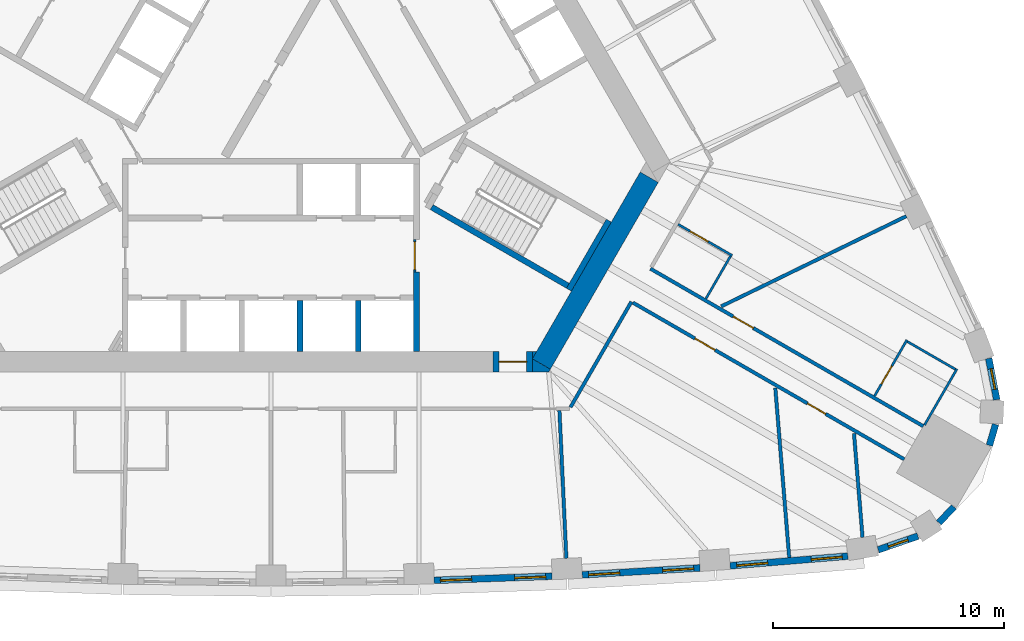
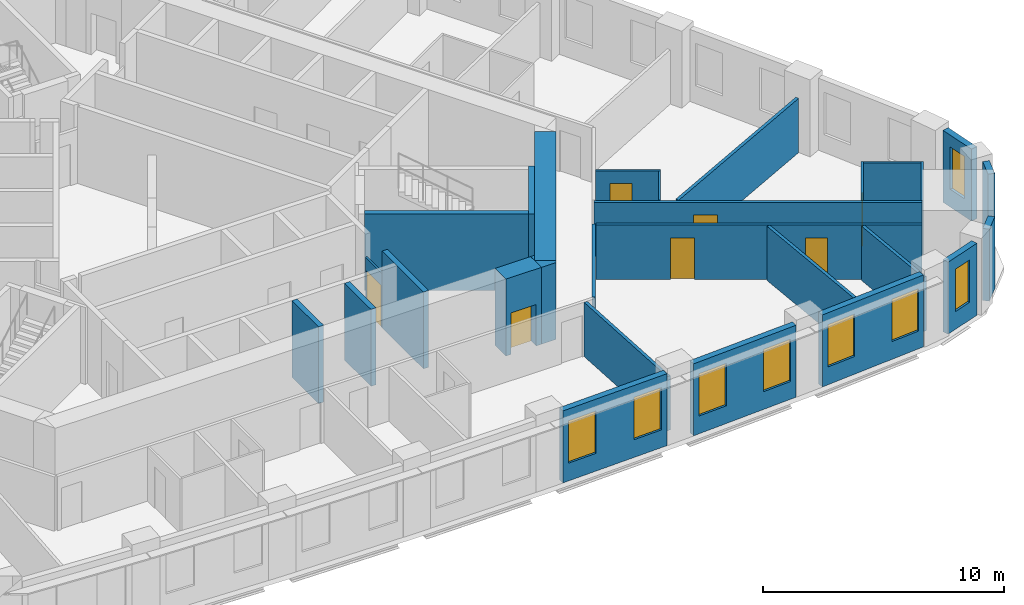
# One storey, part 7 of 12: 29 walls, 8 windows, 7 doors, 15 openings.
"""IFC4 building model written with IfcOpenShell, lengths in metres."""

from ifc_helpers import new_model, si_unit, direction, frame, frame_2d, origin, place, context, subcontext, project, spatial, polyline, rectangle, outline, extrude, material, layer, layer_set, type_object, element, fill, save


model = new_model("IFC4")

# Units and contexts
model_context = context("Model", 3, precision=1e-05, world=origin(), true_north=direction((0.0, 1.0)))
body_context = subcontext(model_context, "Body", "Model", "MODEL_VIEW")
ifc_project = project(units=[si_unit("LENGTHUNIT", "METRE"), si_unit("AREAUNIT", "SQUARE_METRE"), si_unit("VOLUMEUNIT", "CUBIC_METRE"), si_unit("PLANEANGLEUNIT", "RADIAN"), si_unit("MASSUNIT", "GRAM", prefix="KILO")], contexts=[model_context])

# Site, building, storey
site_placement = place(None, origin())
site = spatial("IfcSite", under=ifc_project, at=site_placement, CompositionType="ELEMENT")
building_placement = place(site_placement, origin())
building = spatial("IfcBuilding", under=site, at=building_placement, Name="Mestral Congress Tower", CompositionType="ELEMENT")
storey_placement = place(building_placement, frame((0.0, 0.0, 107.10009765625)))
storey = spatial("IfcBuildingStorey", under=building, at=storey_placement, Name="L25", CompositionType="ELEMENT", Elevation=107.10009765625)

# Wall, opening, door
ifc_material_1 = material(Name="Fire-rated board partition")
ifc_layer_1 = layer(ifc_material_1, 0.090087890625)
ifc_layer_set_1 = layer_set([ifc_layer_1], Name="Fire-rated board partition")
wall_type_1 = type_object("IfcWallType", Name="Core partition 150 door-wall 90", PredefinedType="PARTITIONING", material=ifc_layer_set_1)
wall_1_placement = place(storey_placement, frame((6.219970703125, -7.266357421875, 0.0), z_axis=(0.0, 0.0, 1.0), x_axis=(0.0, -1.0, 0.0)))
wall_1 = element("IfcWall", 1, at=wall_1_placement, inside=storey, type_object=wall_type_1, Name="L25 door wall", PredefinedType="PARTITIONING", context=body_context, shape_type="SweptSolid", body=[
    extrude(rectangle(XDim=1.400146484375, YDim=0.090087890625, at=frame_2d((0.7001953125, 0.0))), origin(), (0.0, 0.0, 1.0), 2.75),
])
opening_1_placement = place(wall_1_placement, frame((0.10009765625, 0.0, 0.0)))
opening_1 = element("IfcOpeningElement", 2, at=opening_1_placement, cuts=wall_1, Name="Opening LB0-WL1", PredefinedType="OPENING", context=body_context, shape_type="SweptSolid", body=[
    extrude(rectangle(XDim=1.199951171875, YDim=2.10009765625, at=frame_2d((0.60009765625, 1.050048828125))), frame((0.0, 0.054931640625, 0.0), z_axis=(0.0, -1.0, 0.0), x_axis=(1.0, 0.0, 0.0)), (0.0, 0.0, 1.0), 0.110107421875),
])
ifc_material_2 = material(Name="Fire-rated steel door set", Category="steel")
door_type_1 = type_object("IfcDoorType", Name="Core door LB 1200x2100", OperationType="SINGLE_SWING_LEFT", PredefinedType="DOOR", material=ifc_material_2)
door_1_placement = place(opening_1_placement, origin())
door_1 = element("IfcDoor", 3, at=door_1_placement, inside=storey, type_object=door_type_1, Name="Door LB0-WL1", OperationType="SINGLE_SWING_LEFT", OverallHeight=2.10009765625, OverallWidth=1.199951171875, PredefinedType="DOOR", context=body_context, shape_type="SweptSolid", body=[
    extrude(rectangle(XDim=1.199951171875, YDim=2.10009765625, at=frame_2d((0.60009765625, 1.050048828125))), frame((0.0, 0.02490234375, 0.0), z_axis=(0.0, -1.0, 0.0), x_axis=(1.0, 0.0, 0.0)), (0.0, 0.0, 1.0), 0.050048828125),
])
fill(opening_1, door_1)

# Walls
ifc_material_3 = material(Name="Concrete C60/75", Category="concrete")
ifc_layer_2 = layer(ifc_material_3, 0.89990234375)
ifc_layer_set_2 = layer_set([ifc_layer_2], Name="Concrete C60/75")
wall_type_2 = type_object("IfcWallType", Name="Core wall RC 900", PredefinedType="SOLIDWALL", material=ifc_layer_set_2)
wall_2_placement = place(storey_placement, frame((11.69482421875, -12.643798828125, 0.0), z_axis=(0.0, 0.0, 1.0), x_axis=(0.500010229568, 0.86601949766, 0.0)))
element("IfcWall", 4, at=wall_2_placement, inside=storey, type_object=wall_type_2, Name="L25 core wall", PredefinedType="SOLIDWALL", context=body_context, shape_type="SweptSolid", body=[
    extrude(rectangle(XDim=9.326416015625, YDim=0.89990234375, at=frame_2d((4.6630859375, 0.0))), origin(), (0.0, 0.0, 1.0), 3.89990234375),
])
placement = place(storey_placement, origin())
element("IfcWall", 5, at=placement, inside=storey, type_object=wall_type_2, Name="L25 core wall", PredefinedType="SOLIDWALL", context=body_context, shape_type="SweptSolid", body=[
    extrude(outline(polyline([(12.0087890625, -13.0), (11.31201171875, -13.0), (11.31201171875, -12.425048828125), (12.08349609375, -12.87060546875), (12.0087890625, -13.0)])), origin(), (0.0, 0.0, 1.0), 3.89990234375),
])
element("IfcWall", 6, at=placement, inside=storey, type_object=wall_type_2, Name="L25 core wall", PredefinedType="SOLIDWALL", context=body_context, shape_type="SweptSolid", body=[
    extrude(outline(polyline([(11.4892578125, -12.10009765625), (11.31201171875, -12.4072265625), (11.31201171875, -12.10009765625), (11.4892578125, -12.10009765625)])), origin(), (0.0, 0.0, 1.0), 3.89990234375),
])

# Wall, opening, door
wall_5_placement = place(storey_placement, frame((11.311767578125, -12.550048828125, 0.0), z_axis=(0.0, 0.0, 1.0), x_axis=(-1.0, 0.0, 0.0)))
wall_5 = element("IfcWall", 7, at=wall_5_placement, inside=storey, type_object=wall_type_2, Name="L25 door wall", PredefinedType="SOLIDWALL", context=body_context, shape_type="SweptSolid", body=[
    extrude(rectangle(XDim=1.699951171875, YDim=0.89990234375, at=frame_2d((0.85009765625, 0.0))), origin(), (0.0, 0.0, 1.0), 3.89990234375),
])
opening_2_placement = place(wall_5_placement, frame((0.25, 0.0, 0.0)))
opening_2 = element("IfcOpeningElement", 8, at=opening_2_placement, cuts=wall_5, Name="Opening XD1", PredefinedType="OPENING", context=body_context, shape_type="SweptSolid", body=[
    extrude(rectangle(XDim=1.199951171875, YDim=2.10009765625, at=frame_2d((0.60009765625, 1.050048828125))), frame((0.0, 0.4599609375, 0.0), z_axis=(0.0, -1.0, 0.0), x_axis=(1.0, 0.0, 0.0)), (0.0, 0.0, 1.0), 0.919921875),
])
door_type_2 = type_object("IfcDoorType", Name="Core door XD 1200x2100", OperationType="SINGLE_SWING_LEFT", PredefinedType="DOOR", material=ifc_material_2)
door_2_placement = place(opening_2_placement, origin())
door_2 = element("IfcDoor", 9, at=door_2_placement, inside=storey, type_object=door_type_2, Name="Door XD1", OperationType="SINGLE_SWING_LEFT", OverallHeight=2.10009765625, OverallWidth=1.199951171875, PredefinedType="DOOR", context=body_context, shape_type="SweptSolid", body=[
    extrude(rectangle(XDim=1.199951171875, YDim=2.10009765625, at=frame_2d((0.60009765625, 1.050048828125))), frame((0.0, 0.02490234375, 0.0), z_axis=(0.0, -1.0, 0.0), x_axis=(1.0, 0.0, 0.0)), (0.0, 0.0, 1.0), 0.050048828125),
])
fill(opening_2, door_2)

# Wall, openings, windows
ifc_material_4 = material(Name="Precast concrete C40/50 with limestone facing", Category="masonry")
ifc_layer_3 = layer(ifc_material_4, 0.2900390625)
ifc_layer_set_3 = layer_set([ifc_layer_3], Name="Precast concrete C40/50 with limestone facing")
wall_type_3 = type_object("IfcWallType", Name="Facade stone wall 290", PredefinedType="SOLIDWALL", material=ifc_layer_set_3)
wall_6_placement = place(storey_placement, frame((7.059326171875, -22.000732421875, 0.0), z_axis=(0.0, 0.0, 1.0), x_axis=(0.999385993957, 0.035037623812, 0.0)))
wall_6 = element("IfcWall", 10, at=wall_6_placement, inside=storey, type_object=wall_type_3, Name="Facade wall F0-05", PredefinedType="SOLIDWALL", context=body_context, shape_type="SweptSolid", body=[
    extrude(rectangle(XDim=5.1005859375, YDim=0.2900390625, at=frame_2d((2.55029296875, 0.0))), origin(), (0.0, 0.0, 1.0), 3.64990234375),
])
opening_3_placement = place(wall_6_placement, frame((0.272705078125, 0.0, 0.89990234375)))
opening_3 = element("IfcOpeningElement", 11, at=opening_3_placement, cuts=wall_6, Name="Opening W2", PredefinedType="OPENING", context=body_context, shape_type="SweptSolid", body=[
    extrude(rectangle(XDim=1.35009765625, YDim=2.14990234375, at=frame_2d((0.675048828125, 1.074951171875))), frame((0.0, 0.155029296875, 0.0), z_axis=(0.0, -1.0, 0.0), x_axis=(1.0, 0.0, 0.0)), (0.0, 0.0, 1.0), 0.31005859375),
])
opening_4_placement = place(wall_6_placement, frame((3.477783203125, 0.0, 0.89990234375)))
opening_4 = element("IfcOpeningElement", 12, at=opening_4_placement, cuts=wall_6, Name="Opening W2", PredefinedType="OPENING", context=body_context, shape_type="SweptSolid", body=[
    extrude(rectangle(XDim=1.35009765625, YDim=2.14990234375, at=frame_2d((0.675048828125, 1.074951171875))), frame((0.0, 0.155029296875, 0.0), z_axis=(0.0, -1.0, 0.0), x_axis=(1.0, 0.0, 0.0)), (0.0, 0.0, 1.0), 0.31005859375),
])
ifc_material_5 = material(Name="Clear low-emissivity double glazing", Category="glass")
window_type_1 = type_object("IfcWindowType", Name="Facade punched window 1350 x 2150 sill 900", PartitioningType="DOUBLE_PANEL_VERTICAL", PredefinedType="WINDOW", material=ifc_material_5)
window_1_placement = place(opening_3_placement, origin())
window_1 = element("IfcWindow", 13, at=window_1_placement, inside=storey, type_object=window_type_1, Name="Window F0-05a", OverallHeight=2.14990234375, OverallWidth=1.35009765625, PartitioningType="DOUBLE_PANEL_VERTICAL", PredefinedType="WINDOW", context=body_context, shape_type="SweptSolid", body=[
    extrude(rectangle(XDim=1.35009765625, YDim=2.14990234375, at=frame_2d((0.675048828125, 1.074951171875))), frame((0.0, 0.01513671875, 0.0), z_axis=(0.0, -1.0, 0.0), x_axis=(1.0, 0.0, 0.0)), (0.0, 0.0, 1.0), 0.06005859375),
])
fill(opening_3, window_1)
window_2_placement = place(opening_4_placement, origin())
window_2 = element("IfcWindow", 14, at=window_2_placement, inside=storey, type_object=window_type_1, Name="Window F0-05b", OverallHeight=2.14990234375, OverallWidth=1.35009765625, PartitioningType="DOUBLE_PANEL_VERTICAL", PredefinedType="WINDOW", context=body_context, shape_type="SweptSolid", body=[
    extrude(rectangle(XDim=1.35009765625, YDim=2.14990234375, at=frame_2d((0.675048828125, 1.074951171875))), frame((0.0, 0.01513671875, 0.0), z_axis=(0.0, -1.0, 0.0), x_axis=(1.0, 0.0, 0.0)), (0.0, 0.0, 1.0), 0.06005859375),
])
fill(opening_4, window_2)

wall_7_placement = place(storey_placement, frame((13.4619140625, -21.760986328125, 0.0), z_axis=(0.0, 0.0, 1.0), x_axis=(0.998290511436, 0.058447025388, 0.0)))
wall_7 = element("IfcWall", 15, at=wall_7_placement, inside=storey, type_object=wall_type_3, Name="Facade wall F0-06", PredefinedType="SOLIDWALL", context=body_context, shape_type="SweptSolid", body=[
    extrude(rectangle(XDim=5.100341796875, YDim=0.2900390625, at=frame_2d((2.55029296875, 0.0))), origin(), (0.0, 0.0, 1.0), 3.64990234375),
])
opening_5_placement = place(wall_7_placement, frame((0.2724609375, 0.0, 0.89990234375)))
opening_5 = element("IfcOpeningElement", 16, at=opening_5_placement, cuts=wall_7, Name="Opening W2", PredefinedType="OPENING", context=body_context, shape_type="SweptSolid", body=[
    extrude(rectangle(XDim=1.35009765625, YDim=2.14990234375, at=frame_2d((0.675048828125, 1.074951171875))), frame((0.0, 0.155029296875, 0.0), z_axis=(0.0, -1.0, 0.0), x_axis=(1.0, 0.0, 0.0)), (0.0, 0.0, 1.0), 0.31005859375),
])
opening_6_placement = place(wall_7_placement, frame((3.477783203125, 0.0, 0.89990234375)))
opening_6 = element("IfcOpeningElement", 17, at=opening_6_placement, cuts=wall_7, Name="Opening W2", PredefinedType="OPENING", context=body_context, shape_type="SweptSolid", body=[
    extrude(rectangle(XDim=1.35009765625, YDim=2.14990234375, at=frame_2d((0.675048828125, 1.074951171875))), frame((0.0, 0.155029296875, 0.0), z_axis=(0.0, -1.0, 0.0), x_axis=(1.0, 0.0, 0.0)), (0.0, 0.0, 1.0), 0.31005859375),
])
window_3_placement = place(opening_5_placement, origin())
window_3 = element("IfcWindow", 18, at=window_3_placement, inside=storey, type_object=window_type_1, Name="Window F0-06a", OverallHeight=2.14990234375, OverallWidth=1.35009765625, PartitioningType="DOUBLE_PANEL_VERTICAL", PredefinedType="WINDOW", context=body_context, shape_type="SweptSolid", body=[
    extrude(rectangle(XDim=1.35009765625, YDim=2.14990234375, at=frame_2d((0.675048828125, 1.074951171875))), frame((0.0, 0.01513671875, 0.0), z_axis=(0.0, -1.0, 0.0), x_axis=(1.0, 0.0, 0.0)), (0.0, 0.0, 1.0), 0.06005859375),
])
fill(opening_5, window_3)
window_4_placement = place(opening_6_placement, origin())
window_4 = element("IfcWindow", 19, at=window_4_placement, inside=storey, type_object=window_type_1, Name="Window F0-06b", OverallHeight=2.14990234375, OverallWidth=1.35009765625, PartitioningType="DOUBLE_PANEL_VERTICAL", PredefinedType="WINDOW", context=body_context, shape_type="SweptSolid", body=[
    extrude(rectangle(XDim=1.35009765625, YDim=2.14990234375, at=frame_2d((0.675048828125, 1.074951171875))), frame((0.0, 0.01513671875, 0.0), z_axis=(0.0, -1.0, 0.0), x_axis=(1.0, 0.0, 0.0)), (0.0, 0.0, 1.0), 0.06005859375),
])
fill(opening_6, window_4)

wall_8_placement = place(storey_placement, frame((19.856689453125, -21.37109375, 0.0), z_axis=(0.0, 0.0, 1.0), x_axis=(0.99665273362, 0.081751627308, 0.0)))
wall_8 = element("IfcWall", 20, at=wall_8_placement, inside=storey, type_object=wall_type_3, Name="Facade wall F0-07", PredefinedType="SOLIDWALL", context=body_context, shape_type="SweptSolid", body=[
    extrude(rectangle(XDim=5.106689453125, YDim=0.2900390625, at=frame_2d((2.55322265625, 0.0))), origin(), (0.0, 0.0, 1.0), 3.64990234375),
])
opening_7_placement = place(wall_8_placement, frame((0.285400390625, 0.0, 0.89990234375)))
opening_7 = element("IfcOpeningElement", 21, at=opening_7_placement, cuts=wall_8, Name="Opening W2", PredefinedType="OPENING", context=body_context, shape_type="SweptSolid", body=[
    extrude(rectangle(XDim=1.35009765625, YDim=2.14990234375, at=frame_2d((0.675048828125, 1.074951171875))), frame((0.0, 0.155029296875, 0.0), z_axis=(0.0, -1.0, 0.0), x_axis=(1.0, 0.0, 0.0)), (0.0, 0.0, 1.0), 0.31005859375),
])
opening_8_placement = place(wall_8_placement, frame((3.51611328125, 0.0, 0.89990234375)))
opening_8 = element("IfcOpeningElement", 22, at=opening_8_placement, cuts=wall_8, Name="Opening W2", PredefinedType="OPENING", context=body_context, shape_type="SweptSolid", body=[
    extrude(rectangle(XDim=1.35009765625, YDim=2.14990234375, at=frame_2d((0.675048828125, 1.074951171875))), frame((0.0, 0.155029296875, 0.0), z_axis=(0.0, -1.0, 0.0), x_axis=(1.0, 0.0, 0.0)), (0.0, 0.0, 1.0), 0.31005859375),
])
window_5_placement = place(opening_7_placement, origin())
window_5 = element("IfcWindow", 23, at=window_5_placement, inside=storey, type_object=window_type_1, Name="Window F0-07a", OverallHeight=2.14990234375, OverallWidth=1.35009765625, PartitioningType="DOUBLE_PANEL_VERTICAL", PredefinedType="WINDOW", context=body_context, shape_type="SweptSolid", body=[
    extrude(rectangle(XDim=1.35009765625, YDim=2.14990234375, at=frame_2d((0.675048828125, 1.074951171875))), frame((0.0, 0.01513671875, 0.0), z_axis=(0.0, -1.0, 0.0), x_axis=(1.0, 0.0, 0.0)), (0.0, 0.0, 1.0), 0.06005859375),
])
fill(opening_7, window_5)
window_6_placement = place(opening_8_placement, origin())
window_6 = element("IfcWindow", 24, at=window_6_placement, inside=storey, type_object=window_type_1, Name="Window F0-07b", OverallHeight=2.14990234375, OverallWidth=1.35009765625, PartitioningType="DOUBLE_PANEL_VERTICAL", PredefinedType="WINDOW", context=body_context, shape_type="SweptSolid", body=[
    extrude(rectangle(XDim=1.35009765625, YDim=2.14990234375, at=frame_2d((0.675048828125, 1.074951171875))), frame((0.0, 0.01513671875, 0.0), z_axis=(0.0, -1.0, 0.0), x_axis=(1.0, 0.0, 0.0)), (0.0, 0.0, 1.0), 0.06005859375),
])
fill(opening_8, window_6)

# Wall, opening, window
wall_9_placement = place(storey_placement, frame((26.260986328125, -20.67919921875, 0.0), z_axis=(0.0, 0.0, 1.0), x_axis=(0.945385815453, 0.325953462844, 0.0)))
wall_9 = element("IfcWall", 25, at=wall_9_placement, inside=storey, type_object=wall_type_3, Name="Facade wall K0-0", PredefinedType="SOLIDWALL", context=body_context, shape_type="SweptSolid", body=[
    extrude(rectangle(XDim=1.8193359375, YDim=0.2900390625, at=frame_2d((0.90966796875, 0.0))), origin(), (0.0, 0.0, 1.0), 3.64990234375),
])
opening_9_placement = place(wall_9_placement, frame((0.459716796875, 0.0, 0.89990234375)))
opening_9 = element("IfcOpeningElement", 26, at=opening_9_placement, cuts=wall_9, Name="Opening W3", PredefinedType="OPENING", context=body_context, shape_type="SweptSolid", body=[
    extrude(rectangle(XDim=0.89990234375, YDim=2.14990234375, at=frame_2d((0.449951171875, 1.074951171875))), frame((0.0, 0.155029296875, 0.0), z_axis=(0.0, -1.0, 0.0), x_axis=(1.0, 0.0, 0.0)), (0.0, 0.0, 1.0), 0.31005859375),
])
window_type_2 = type_object("IfcWindowType", Name="Facade punched window 900 x 2150 sill 900", PartitioningType="SINGLE_PANEL", PredefinedType="WINDOW", material=ifc_material_5)
window_7_placement = place(opening_9_placement, origin())
window_7 = element("IfcWindow", 27, at=window_7_placement, inside=storey, type_object=window_type_2, Name="Window K0-0", OverallHeight=2.14990234375, OverallWidth=0.89990234375, PartitioningType="SINGLE_PANEL", PredefinedType="WINDOW", context=body_context, shape_type="SweptSolid", body=[
    extrude(rectangle(XDim=0.89990234375, YDim=2.14990234375, at=frame_2d((0.449951171875, 1.074951171875))), frame((0.0, 0.01513671875, 0.0), z_axis=(0.0, -1.0, 0.0), x_axis=(1.0, 0.0, 0.0)), (0.0, 0.0, 1.0), 0.06005859375),
])
fill(opening_9, window_7)

# Walls
wall_10_placement = place(storey_placement, frame((28.88037109375, -19.50927734375, 0.0), z_axis=(0.0, 0.0, 1.0), x_axis=(0.690414427296, 0.723414071319, 0.0)))
element("IfcWall", 28, at=wall_10_placement, inside=storey, type_object=wall_type_3, Name="Facade wall K0-1", PredefinedType="SOLIDWALL", context=body_context, shape_type="SweptSolid", body=[
    extrude(rectangle(XDim=0.947021484375, YDim=0.2900390625, at=frame_2d((0.4736328125, 0.0))), origin(), (0.0, 0.0, 1.0), 3.64990234375),
])
wall_11_placement = place(storey_placement, frame((31.069091796875, -16.165283203125, 0.0), z_axis=(0.0, 0.0, 1.0), x_axis=(0.281454582132, 0.95957455062, 0.0)))
element("IfcWall", 29, at=wall_11_placement, inside=storey, type_object=wall_type_3, Name="Facade wall K0-2", PredefinedType="SOLIDWALL", context=body_context, shape_type="SweptSolid", body=[
    extrude(rectangle(XDim=0.947265625, YDim=0.2900390625, at=frame_2d((0.4736328125, 0.0))), origin(), (0.0, 0.0, 1.0), 3.64990234375),
])

# Wall, opening, window
wall_12_placement = place(storey_placement, frame((31.385498046875, -14.189208984375, 0.0), z_axis=(0.0, 0.0, 1.0), x_axis=(-0.190409913989, 0.981704672829, 0.0)))
wall_12 = element("IfcWall", 30, at=wall_12_placement, inside=storey, type_object=wall_type_3, Name="Facade wall K0-3", PredefinedType="SOLIDWALL", context=body_context, shape_type="SweptSolid", body=[
    extrude(rectangle(XDim=1.8193359375, YDim=0.2900390625, at=frame_2d((0.90966796875, 0.0))), origin(), (0.0, 0.0, 1.0), 3.64990234375),
])
opening_10_placement = place(wall_12_placement, frame((0.459716796875, 0.0, 0.89990234375)))
opening_10 = element("IfcOpeningElement", 31, at=opening_10_placement, cuts=wall_12, Name="Opening W3", PredefinedType="OPENING", context=body_context, shape_type="SweptSolid", body=[
    extrude(rectangle(XDim=0.89990234375, YDim=2.14990234375, at=frame_2d((0.449951171875, 1.074951171875))), frame((0.0, 0.155029296875, 0.0), z_axis=(0.0, -1.0, 0.0), x_axis=(1.0, 0.0, 0.0)), (0.0, 0.0, 1.0), 0.31005859375),
])
window_8_placement = place(opening_10_placement, origin())
window_8 = element("IfcWindow", 32, at=window_8_placement, inside=storey, type_object=window_type_2, Name="Window K0-3", OverallHeight=2.14990234375, OverallWidth=0.89990234375, PartitioningType="SINGLE_PANEL", PredefinedType="WINDOW", context=body_context, shape_type="SweptSolid", body=[
    extrude(rectangle(XDim=0.89990234375, YDim=2.14990234375, at=frame_2d((0.449951171875, 1.074951171875))), frame((0.0, 0.01513671875, 0.0), z_axis=(0.0, -1.0, 0.0), x_axis=(1.0, 0.0, 0.0)), (0.0, 0.0, 1.0), 0.06005859375),
])
fill(opening_10, window_8)

# Wall, opening, door
ifc_material_6 = material(Name="Gypsum board partition on metal studs with mineral wool", Category="composite")
ifc_layer_4 = layer(ifc_material_6, 0.10009765625)
ifc_layer_set_4 = layer_set([ifc_layer_4], Name="Gypsum board partition on metal studs with mineral wool")
wall_type_4 = type_object("IfcWallType", Name="Hotel partition wall 100", PredefinedType="PARTITIONING", material=ifc_layer_set_4)
wall_13_placement = place(storey_placement, frame((27.50048828125, -11.60498046875, 0.0), z_axis=(0.0, 0.0, 1.0), x_axis=(-0.500049511043, -0.865996816683, 0.0)))
wall_13 = element("IfcWall", 33, at=wall_13_placement, inside=storey, type_object=wall_type_4, Name="L25-h-pod08a", PredefinedType="PARTITIONING", context=body_context, shape_type="SweptSolid", body=[
    extrude(rectangle(XDim=2.800048828125, YDim=0.10009765625, at=frame_2d((1.39990234375, 0.0))), origin(), (0.0, 0.0, 1.0), 2.75),
])
opening_11_placement = place(wall_13_placement, frame((1.300048828125, 0.0, 0.0)))
opening_11 = element("IfcOpeningElement", 34, at=opening_11_placement, cuts=wall_13, Name="Opening H08-013", PredefinedType="OPENING", context=body_context, shape_type="SweptSolid", body=[
    extrude(rectangle(XDim=0.89990234375, YDim=2.10009765625, at=frame_2d((0.449951171875, 1.050048828125))), frame((0.0, 0.06005859375, 0.0), z_axis=(0.0, -1.0, 0.0), x_axis=(1.0, 0.0, 0.0)), (0.0, 0.0, 1.0), 0.1201171875),
])
ifc_material_7 = material(Name="Timber veneer door leaf in timber frame", Category="wood")
door_type_3 = type_object("IfcDoorType", Name="Bathroom door 900", OperationType="SINGLE_SWING_LEFT", PredefinedType="DOOR", material=ifc_material_7)
door_3_placement = place(opening_11_placement, origin())
door_3 = element("IfcDoor", 35, at=door_3_placement, inside=storey, type_object=door_type_3, Name="L25-h-d013", OperationType="SINGLE_SWING_LEFT", OverallHeight=2.10009765625, OverallWidth=0.89990234375, PredefinedType="DOOR", context=body_context, shape_type="SweptSolid", body=[
    extrude(rectangle(XDim=0.89990234375, YDim=2.10009765625, at=frame_2d((0.449951171875, 1.050048828125))), frame((0.0, 0.02490234375, 0.0), z_axis=(0.0, -1.0, 0.0), x_axis=(1.0, 0.0, 0.0)), (0.0, 0.0, 1.0), 0.050048828125),
])
fill(opening_11, door_3)

# Walls
wall_14_placement = place(storey_placement, frame((27.518798828125, -11.67333984375, 0.0), z_axis=(0.0, 0.0, 1.0), x_axis=(0.866024647952, -0.500001309137, 0.0)))
element("IfcWall", 36, at=wall_14_placement, inside=storey, type_object=wall_type_4, Name="L25-h-pod08b", PredefinedType="PARTITIONING", context=body_context, shape_type="SweptSolid", body=[
    extrude(rectangle(XDim=2.39990234375, YDim=0.10009765625, at=frame_2d((1.199951171875, 0.0))), origin(), (0.0, 0.0, 1.0), 2.75),
])
wall_15_placement = place(storey_placement, frame((28.265380859375, -15.27978515625, 0.0), z_axis=(0.0, 0.0, 1.0), x_axis=(0.500049511043, 0.865996816683, 0.0)))
element("IfcWall", 37, at=wall_15_placement, inside=storey, type_object=wall_type_4, Name="L25-h-pod08c", PredefinedType="PARTITIONING", context=body_context, shape_type="SweptSolid", body=[
    extrude(rectangle(XDim=2.800048828125, YDim=0.10009765625, at=frame_2d((1.39990234375, 0.0))), origin(), (0.0, 0.0, 1.0), 2.75),
])

# Wall, opening, door
wall_16_placement = place(storey_placement, frame((19.945556640625, -7.953369140625, 0.0), z_axis=(0.0, 0.0, 1.0), x_axis=(-0.86599734893, 0.500048589285, 0.0)))
wall_16 = element("IfcWall", 38, at=wall_16_placement, inside=storey, type_object=wall_type_4, Name="L25-h-pod09a", PredefinedType="PARTITIONING", context=body_context, shape_type="SweptSolid", body=[
    extrude(rectangle(XDim=2.699951171875, YDim=0.10009765625, at=frame_2d((1.35009765625, 0.0))), origin(), (0.0, 0.0, 1.0), 2.75),
])
opening_12_placement = place(wall_16_placement, frame((1.199951171875, 0.0, 0.0)))
opening_12 = element("IfcOpeningElement", 39, at=opening_12_placement, cuts=wall_16, Name="Opening H08-015", PredefinedType="OPENING", context=body_context, shape_type="SweptSolid", body=[
    extrude(rectangle(XDim=0.89990234375, YDim=2.10009765625, at=frame_2d((0.449951171875, 1.050048828125))), frame((0.0, 0.06005859375, 0.0), z_axis=(0.0, -1.0, 0.0), x_axis=(1.0, 0.0, 0.0)), (0.0, 0.0, 1.0), 0.1201171875),
])
door_4_placement = place(opening_12_placement, origin())
door_4 = element("IfcDoor", 40, at=door_4_placement, inside=storey, type_object=door_type_3, Name="L25-h-d015", OperationType="SINGLE_SWING_RIGHT", OverallHeight=2.10009765625, OverallWidth=0.89990234375, PredefinedType="DOOR", context=body_context, shape_type="SweptSolid", body=[
    extrude(rectangle(XDim=0.89990234375, YDim=2.10009765625, at=frame_2d((0.449951171875, 1.050048828125))), frame((0.0, 0.02490234375, 0.0), z_axis=(0.0, -1.0, 0.0), x_axis=(1.0, 0.0, 0.0)), (0.0, 0.0, 1.0), 0.050048828125),
])
fill(opening_12, door_4)

# Wall
wall_17_placement = place(storey_placement, frame((19.877197265625, -7.9716796875, 0.0), z_axis=(0.0, 0.0, 1.0), x_axis=(-0.500010206181, -0.866019511163, 0.0)))
element("IfcWall", 41, at=wall_17_placement, inside=storey, type_object=wall_type_4, Name="L25-h-pod09b", PredefinedType="PARTITIONING", context=body_context, shape_type="SweptSolid", body=[
    extrude(rectangle(XDim=2.1298828125, YDim=0.10009765625, at=frame_2d((1.06494140625, 0.0))), origin(), (0.0, 0.0, 1.0), 2.75),
])

# Wall, opening, door
ifc_layer_5 = layer(ifc_material_6, 0.14990234375)
ifc_layer_set_5 = layer_set([ifc_layer_5], Name="Gypsum board partition on metal studs with mineral wool")
wall_type_5 = type_object("IfcWallType", Name="Hotel partition wall 150", PredefinedType="PARTITIONING", material=ifc_layer_set_5)
wall_18_placement = place(storey_placement, frame((16.412353515625, -8.52294921875, 0.0), z_axis=(0.0, 0.0, 1.0), x_axis=(0.866025629663, -0.499999608766, 0.0)))
wall_18 = element("IfcWall", 42, at=wall_18_placement, inside=storey, type_object=wall_type_5, Name="L25-h-cw01", PredefinedType="PARTITIONING", context=body_context, shape_type="SweptSolid", body=[
    extrude(rectangle(XDim=13.62353515625, YDim=0.14990234375, at=frame_2d((6.811767578125, 0.0))), origin(), (0.0, 0.0, 1.0), 2.75),
])
opening_13_placement = place(wall_18_placement, frame((4.134033203125, 0.0, 0.0)))
opening_13 = element("IfcOpeningElement", 43, at=opening_13_placement, cuts=wall_18, Name="Opening H08-012", PredefinedType="OPENING", context=body_context, shape_type="SweptSolid", body=[
    extrude(rectangle(XDim=1.0, YDim=2.10009765625, at=frame_2d((0.5, 1.050048828125))), frame((0.0, 0.0849609375, 0.0), z_axis=(0.0, -1.0, 0.0), x_axis=(1.0, 0.0, 0.0)), (0.0, 0.0, 1.0), 0.169921875),
])
ifc_material_8 = material(Name="Timber veneer door leaf in metal frame", Category="wood")
door_type_4 = type_object("IfcDoorType", Name="Guest room entrance door 1000", OperationType="SINGLE_SWING_LEFT", PredefinedType="DOOR", material=ifc_material_8)
door_5_placement = place(opening_13_placement, origin())
door_5 = element("IfcDoor", 44, at=door_5_placement, inside=storey, type_object=door_type_4, Name="L25-h-d012", OperationType="SINGLE_SWING_LEFT", OverallHeight=2.10009765625, OverallWidth=1.0, PredefinedType="DOOR", context=body_context, shape_type="SweptSolid", body=[
    extrude(rectangle(XDim=1.0, YDim=2.10009765625, at=frame_2d((0.5, 1.050048828125))), frame((0.0, 0.02490234375, 0.0), z_axis=(0.0, -1.0, 0.0), x_axis=(1.0, 0.0, 0.0)), (0.0, 0.0, 1.0), 0.050048828125),
])
fill(opening_13, door_5)

# Wall
wall_19_placement = place(storey_placement, frame((15.58740234375, -9.951904296875, 0.0), z_axis=(0.0, 0.0, 1.0), x_axis=(-0.500016618951, -0.866015808616, 0.0)))
element("IfcWall", 45, at=wall_19_placement, inside=storey, type_object=wall_type_5, Name="L25-h-cw14", PredefinedType="PARTITIONING", context=body_context, shape_type="SweptSolid", body=[
    extrude(rectangle(XDim=5.268310546875, YDim=0.14990234375, at=frame_2d((2.63427734375, 0.0))), origin(), (0.0, 0.0, 1.0), 2.75),
])

# Wall, openings, doors
wall_20_placement = place(storey_placement, frame((27.3857421875, -16.763916015625, 0.0), z_axis=(0.0, 0.0, 1.0), x_axis=(-0.866022585856, 0.500004880763, 0.0)))
wall_20 = element("IfcWall", 46, at=wall_20_placement, inside=storey, type_object=wall_type_5, Name="L25-h-cw15", PredefinedType="PARTITIONING", context=body_context, shape_type="SweptSolid", body=[
    extrude(rectangle(XDim=13.543701171875, YDim=0.14990234375, at=frame_2d((6.77197265625, 0.0))), origin(), (0.0, 0.0, 1.0), 2.75),
])
opening_14_placement = place(wall_20_placement, frame((9.447021484375, 0.0, 0.0)))
opening_14 = element("IfcOpeningElement", 47, at=opening_14_placement, cuts=wall_20, Name="Opening H08-010", PredefinedType="OPENING", context=body_context, shape_type="SweptSolid", body=[
    extrude(rectangle(XDim=1.0, YDim=2.10009765625, at=frame_2d((0.5, 1.050048828125))), frame((0.0, 0.0849609375, 0.0), z_axis=(0.0, -1.0, 0.0), x_axis=(1.0, 0.0, 0.0)), (0.0, 0.0, 1.0), 0.169921875),
])
opening_15_placement = place(wall_20_placement, frame((3.926025390625, 0.0, 0.0)))
opening_15 = element("IfcOpeningElement", 48, at=opening_15_placement, cuts=wall_20, Name="Opening H08-011", PredefinedType="OPENING", context=body_context, shape_type="SweptSolid", body=[
    extrude(rectangle(XDim=0.89990234375, YDim=2.10009765625, at=frame_2d((0.449951171875, 1.050048828125))), frame((0.0, 0.0849609375, 0.0), z_axis=(0.0, -1.0, 0.0), x_axis=(1.0, 0.0, 0.0)), (0.0, 0.0, 1.0), 0.169921875),
])
door_6_placement = place(opening_14_placement, origin())
door_6 = element("IfcDoor", 49, at=door_6_placement, inside=storey, type_object=door_type_4, Name="L25-h-d010", OperationType="SINGLE_SWING_RIGHT", OverallHeight=2.10009765625, OverallWidth=1.0, PredefinedType="DOOR", context=body_context, shape_type="SweptSolid", body=[
    extrude(rectangle(XDim=1.0, YDim=2.10009765625, at=frame_2d((0.5, 1.050048828125))), frame((0.0, 0.02490234375, 0.0), z_axis=(0.0, -1.0, 0.0), x_axis=(1.0, 0.0, 0.0)), (0.0, 0.0, 1.0), 0.050048828125),
])
fill(opening_14, door_6)
door_type_5 = type_object("IfcDoorType", Name="Service room door 900", OperationType="SINGLE_SWING_LEFT", PredefinedType="DOOR", material=ifc_material_8)
door_7_placement = place(opening_15_placement, origin())
door_7 = element("IfcDoor", 50, at=door_7_placement, inside=storey, type_object=door_type_5, Name="L25-h-d011", OperationType="SINGLE_SWING_LEFT", OverallHeight=2.10009765625, OverallWidth=0.89990234375, PredefinedType="DOOR", context=body_context, shape_type="SweptSolid", body=[
    extrude(rectangle(XDim=0.89990234375, YDim=2.10009765625, at=frame_2d((0.449951171875, 1.050048828125))), frame((0.0, 0.02490234375, 0.0), z_axis=(0.0, -1.0, 0.0), x_axis=(1.0, 0.0, 0.0)), (0.0, 0.0, 1.0), 0.050048828125),
])
fill(opening_15, door_7)

# Walls
wall_21_placement = place(storey_placement, frame((12.7744140625, -21.044921875, 0.0), z_axis=(0.0, 0.0, 1.0), x_axis=(-0.046750341626, 0.998906605023, 0.0)))
element("IfcWall", 51, at=wall_21_placement, inside=storey, type_object=wall_type_5, Name="L25-h-pw20", PredefinedType="PARTITIONING", context=body_context, shape_type="SweptSolid", body=[
    extrude(rectangle(XDim=6.39208984375, YDim=0.14990234375, at=frame_2d((3.196044921875, 0.0))), origin(), (0.0, 0.0, 1.0), 2.75),
])
wall_22_placement = place(storey_placement, frame((27.478271484375, -6.2509765625, 0.0), z_axis=(0.0, 0.0, 1.0), x_axis=(-0.898940618603, -0.438070501432, 0.0)))
element("IfcWall", 52, at=wall_22_placement, inside=storey, type_object=wall_type_5, Name="L25-h-pw24", PredefinedType="PARTITIONING", context=body_context, shape_type="SweptSolid", body=[
    extrude(rectangle(XDim=8.9091796875, YDim=0.14990234375, at=frame_2d((4.45458984375, 0.0))), origin(), (0.0, 0.0, 1.0), 2.75),
])
wall_23_placement = place(storey_placement, frame((22.412109375, -21.01611328125, 0.0), z_axis=(0.0, 0.0, 1.0), x_axis=(-0.081744540534, 0.996653314896, 0.0)))
element("IfcWall", 53, at=wall_23_placement, inside=storey, type_object=wall_type_5, Name="L25-h-pw25", PredefinedType="PARTITIONING", context=body_context, shape_type="SweptSolid", body=[
    extrude(rectangle(XDim=7.362060546875, YDim=0.14990234375, at=frame_2d((3.68115234375, 0.0))), origin(), (0.0, 0.0, 1.0), 2.75),
])
wall_24_placement = place(storey_placement, frame((25.581787109375, -20.13818359375, 0.0), z_axis=(0.0, 0.0, 1.0), x_axis=(-0.081746132986, 0.996653184283, 0.0)))
element("IfcWall", 54, at=wall_24_placement, inside=storey, type_object=wall_type_5, Name="L25-h-pw26", PredefinedType="PARTITIONING", context=body_context, shape_type="SweptSolid", body=[
    extrude(rectangle(XDim=4.509765625, YDim=0.14990234375, at=frame_2d((2.2548828125, 0.0))), origin(), (0.0, 0.0, 1.0), 2.75),
])
ifc_layer_6 = layer(ifc_material_3, 0.25)
ifc_layer_set_6 = layer_set([ifc_layer_6], Name="Concrete C60/75")
wall_type_6 = type_object("IfcWallType", Name="Shaft wall RC 250", PredefinedType="SOLIDWALL", material=ifc_layer_set_6)
wall_25_placement = place(storey_placement, frame((6.300048828125, -8.669921875, 0.0), z_axis=(0.0, 0.0, 1.0), x_axis=(0.0, -1.0, 0.0)))
element("IfcWall", 55, at=wall_25_placement, inside=storey, type_object=wall_type_6, Name="L25 core wall", PredefinedType="SOLIDWALL", context=body_context, shape_type="SweptSolid", body=[
    extrude(rectangle(XDim=3.43017578125, YDim=0.25, at=frame_2d((1.715087890625, 0.0))), origin(), (0.0, 0.0, 1.0), 3.89990234375),
])
for number, where, z_axis, x_axis, name in (
    (56, (3.780029296875, -12.10009765625, 0.0), (0.0, 0.0, 1.0), (0.0, 1.0, 0.0), "L25 core wall"),
    (57, (1.260009765625, -12.10009765625, 0.0), (0.0, 0.0, 1.0), (0.0, 1.0, 0.0), "L25 core wall"),
):
    element("IfcWall", number, at=place(storey_placement, frame(where, z_axis=z_axis, x_axis=x_axis)), inside=storey, type_object=wall_type_6, Name=name, PredefinedType="SOLIDWALL", context=body_context, shape_type="SweptSolid", body=[
        extrude(rectangle(XDim=2.199951171875, YDim=0.25, at=frame_2d((1.10009765625, 0.0))), origin(), (0.0, 0.0, 1.0), 3.89990234375),
    ])
ifc_layer_7 = layer(ifc_material_3, 0.25)
ifc_layer_set_7 = layer_set([ifc_layer_7], Name="Concrete C60/75")
wall_type_7 = type_object("IfcWallType", Name="Stair wall RC 250", PredefinedType="SOLIDWALL", material=ifc_layer_set_7)
wall_26_placement = place(storey_placement, frame((12.885498046875, -9.431396484375, 0.0), z_axis=(0.0, 0.0, 1.0), x_axis=(0.500020560727, 0.866013532718, 0.0)))
element("IfcWall", 58, at=wall_26_placement, inside=storey, type_object=wall_type_7, Name="L25 core wall", PredefinedType="SOLIDWALL", context=body_context, shape_type="SweptSolid", body=[
    extrude(rectangle(XDim=3.449951171875, YDim=0.25, at=frame_2d((1.72509765625, 0.0))), origin(), (0.0, 0.0, 1.0), 3.89990234375),
])
wall_27_placement = place(storey_placement, frame((12.83984375, -9.2607421875, 0.0), z_axis=(0.0, 0.0, 1.0), x_axis=(-0.866013990052, 0.500019768644, 0.0)))
element("IfcWall", 59, at=wall_27_placement, inside=storey, type_object=wall_type_7, Name="L25 core wall", PredefinedType="SOLIDWALL", context=body_context, shape_type="SweptSolid", body=[
    extrude(rectangle(XDim=6.800048828125, YDim=0.25, at=frame_2d((3.39990234375, 0.0))), origin(), (0.0, 0.0, 1.0), 3.89990234375),
])

save(model, "model.ifc")
